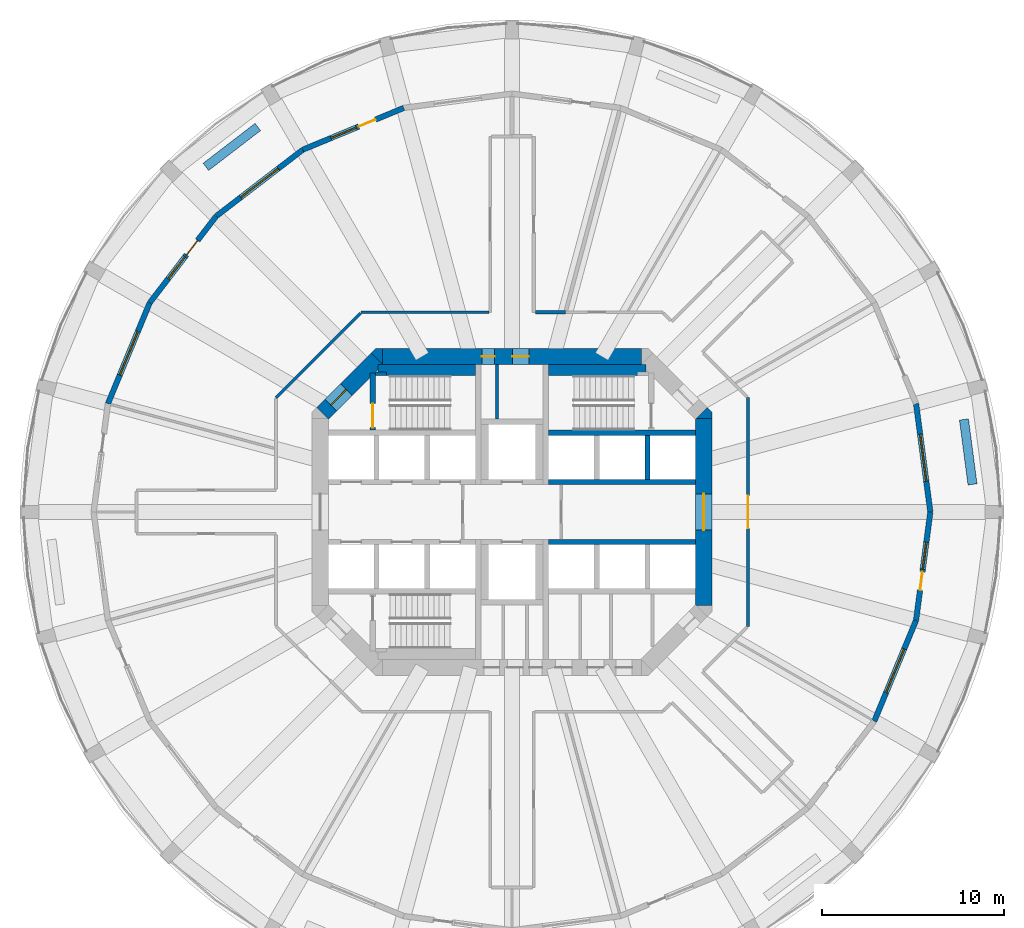
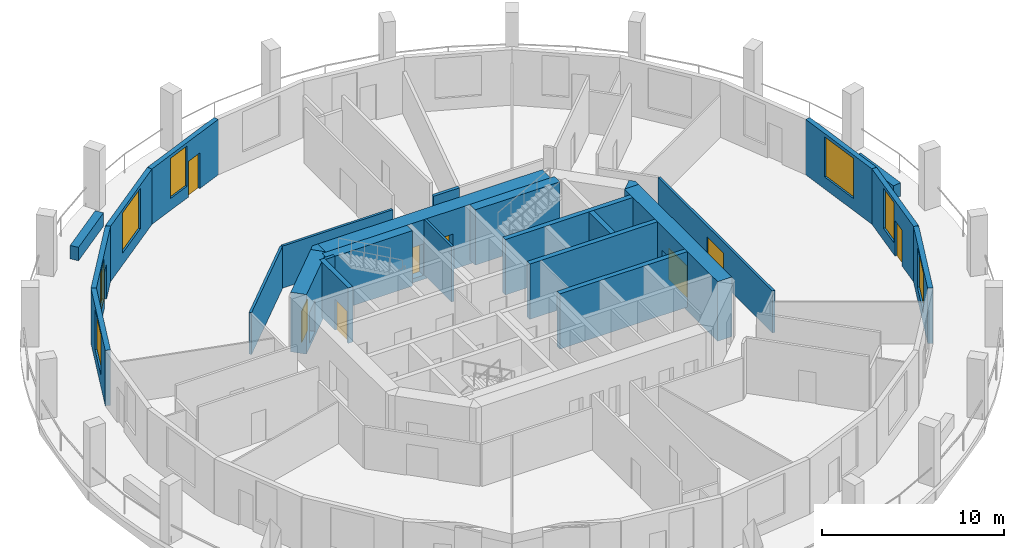
# One storey, part 5 of 9: 27 walls, 9 doors, 7 windows, 16 openings.
"""IFC4 building model written with IfcOpenShell, lengths in metres."""

from ifc_helpers import new_model, si_unit, direction, frame, frame_2d, origin, place, context, subcontext, project, spatial, polyline, rectangle, outline, extrude, material, layer, layer_set, type_object, element, fill, save


model = new_model("IFC4")

# Units and contexts
model_context = context("Model", 3, precision=1e-05, world=origin(), true_north=direction((0.0, 1.0)))
body_context = subcontext(model_context, "Body", "Model", "MODEL_VIEW")
ifc_project = project(units=[si_unit("LENGTHUNIT", "METRE"), si_unit("AREAUNIT", "SQUARE_METRE"), si_unit("VOLUMEUNIT", "CUBIC_METRE"), si_unit("PLANEANGLEUNIT", "RADIAN"), si_unit("MASSUNIT", "GRAM", prefix="KILO")], contexts=[model_context])

# Site, building, storey
site_placement = place(None, origin())
site = spatial("IfcSite", under=ifc_project, at=site_placement, CompositionType="ELEMENT")
building_placement = place(site_placement, origin())
building = spatial("IfcBuilding", under=site, at=building_placement, Name="Torre Triforio", CompositionType="ELEMENT")
storey_placement = place(building_placement, frame((0.0, 0.0, 55.0)))
storey = spatial("IfcBuildingStorey", under=building, at=storey_placement, Name="L11", CompositionType="ELEMENT", Elevation=55.0)

# Wall, openings, doors
ifc_material_1 = material(Name="Concrete C60", Category="concrete")
ifc_layer_1 = layer(ifc_material_1, 0.89990234375)
ifc_layer_set_1 = layer_set([ifc_layer_1], Name="Concrete C60")
wall_type_1 = type_object("IfcWallType", Name="Core wall 900 mm C60 EI 120", PredefinedType="SHEAR", material=ifc_layer_set_1)
wall_1_placement = place(storey_placement, frame((-7.1298828125, 8.550048828125, -0.280029296875), z_axis=(0.0, 0.0, 1.0), x_axis=(1.0, 0.0, 0.0)))
wall_1 = element("IfcWall", 1, at=wall_1_placement, inside=storey, type_object=wall_type_1, Name="Core wall", PredefinedType="SHEAR", context=body_context, shape_type="SweptSolid", body=[
    extrude(rectangle(XDim=14.259765625, YDim=0.89990234375, at=frame_2d((7.1298828125, 0.0))), origin(), (0.0, 0.0, 1.0), 4.0),
])
opening_1_placement = place(wall_1_placement, frame((5.47998046875, 0.0, 0.280029296875)))
opening_1 = element("IfcOpeningElement", 2, at=opening_1_placement, cuts=wall_1, Name="Opening RISER-N", PredefinedType="OPENING", context=body_context, shape_type="SweptSolid", body=[
    extrude(rectangle(XDim=0.699951171875, YDim=2.10009765625, at=frame_2d((0.35009765625, 1.050048828125))), frame((0.0, 0.4599609375, 0.0), z_axis=(0.0, -1.0, 0.0), x_axis=(1.0, 0.0, 0.0)), (0.0, 0.0, 1.0), 0.919921875),
])
opening_2_placement = place(wall_1_placement, frame((7.155029296875, 0.0, 0.280029296875)))
opening_2 = element("IfcOpeningElement", 3, at=opening_2_placement, cuts=wall_1, Name="Opening NE-01", PredefinedType="OPENING", context=body_context, shape_type="SweptSolid", body=[
    extrude(rectangle(XDim=0.89990234375, YDim=2.10009765625, at=frame_2d((0.449951171875, 1.050048828125))), frame((0.0, 0.4599609375, 0.0), z_axis=(0.0, -1.0, 0.0), x_axis=(1.0, 0.0, 0.0)), (0.0, 0.0, 1.0), 0.919921875),
])
ifc_material_2 = material(Name="Hollow metal fire door leaf")
door_type_1 = type_object("IfcDoorType", Name="Riser door 700 x 2100 EI 60", OperationType="NOTDEFINED", PredefinedType="DOOR", material=ifc_material_2)
door_1_placement = place(opening_1_placement, origin())
door_1 = element("IfcDoor", 4, at=door_1_placement, inside=storey, type_object=door_type_1, Name="Core door RISER-N", OperationType="SINGLE_SWING_LEFT", OverallHeight=2.10009765625, OverallWidth=0.699951171875, PredefinedType="DOOR", context=body_context, shape_type="SweptSolid", body=[
    extrude(rectangle(XDim=0.699951171875, YDim=2.10009765625, at=frame_2d((0.35009765625, 1.050048828125))), frame((0.0, 0.02490234375, 0.0), z_axis=(0.0, -1.0, 0.0), x_axis=(1.0, 0.0, 0.0)), (0.0, 0.0, 1.0), 0.050048828125),
])
fill(opening_1, door_1)
door_type_2 = type_object("IfcDoorType", Name="Room door 900 x 2100 EI 60", OperationType="NOTDEFINED", PredefinedType="DOOR", material=ifc_material_2)
door_2_placement = place(opening_2_placement, origin())
door_2 = element("IfcDoor", 5, at=door_2_placement, inside=storey, type_object=door_type_2, Name="Core door NE-01", OperationType="SINGLE_SWING_RIGHT", OverallHeight=2.10009765625, OverallWidth=0.89990234375, PredefinedType="DOOR", context=body_context, shape_type="SweptSolid", body=[
    extrude(rectangle(XDim=0.89990234375, YDim=2.10009765625, at=frame_2d((0.449951171875, 1.050048828125))), frame((0.0, 0.02490234375, 0.0), z_axis=(0.0, -1.0, 0.0), x_axis=(1.0, 0.0, 0.0)), (0.0, 0.0, 1.0), 0.050048828125),
])
fill(opening_2, door_2)

# Wall, opening, door
wall_2_placement = place(storey_placement, frame((10.550048828125, -5.1298828125, -0.280029296875), z_axis=(0.0, 0.0, 1.0), x_axis=(0.0, 1.0, 0.0)))
wall_2 = element("IfcWall", 6, at=wall_2_placement, inside=storey, type_object=wall_type_1, Name="Core wall", PredefinedType="SHEAR", context=body_context, shape_type="SweptSolid", body=[
    extrude(rectangle(XDim=10.259765625, YDim=0.89990234375, at=frame_2d((5.1298828125, 0.0))), origin(), (0.0, 0.0, 1.0), 4.0),
])
opening_3_placement = place(wall_2_placement, frame((4.1298828125, 0.0, 0.280029296875)))
opening_3 = element("IfcOpeningElement", 7, at=opening_3_placement, cuts=wall_2, Name="Opening E-RING", PredefinedType="OPENING", context=body_context, shape_type="SweptSolid", body=[
    extrude(rectangle(XDim=2.0, YDim=2.10009765625, at=frame_2d((1.0, 1.050048828125))), frame((0.0, 0.4599609375, 0.0), z_axis=(0.0, -1.0, 0.0), x_axis=(1.0, 0.0, 0.0)), (0.0, 0.0, 1.0), 0.919921875),
])
door_type_3 = type_object("IfcDoorType", Name="Lobby door 2000 x 2100 EI 60", OperationType="DOUBLE_DOOR_SINGLE_SWING", PredefinedType="DOOR", material=ifc_material_2)
door_3_placement = place(opening_3_placement, origin())
door_3 = element("IfcDoor", 8, at=door_3_placement, inside=storey, type_object=door_type_3, Name="Core door E-RING", OperationType="DOUBLE_DOOR_SINGLE_SWING", OverallHeight=2.10009765625, OverallWidth=2.0, PredefinedType="DOOR", context=body_context, shape_type="SweptSolid", body=[
    extrude(rectangle(XDim=2.0, YDim=2.10009765625, at=frame_2d((1.0, 1.050048828125))), frame((0.0, 0.02490234375, 0.0), z_axis=(0.0, -1.0, 0.0), x_axis=(1.0, 0.0, 0.0)), (0.0, 0.0, 1.0), 0.050048828125),
])
fill(opening_3, door_3)

wall_3_placement = place(storey_placement, frame((-10.418212890625, 5.418212890625, -0.280029296875), z_axis=(0.0, 0.0, 1.0), x_axis=(0.707106781187, 0.707106781187, 0.0)))
wall_3 = element("IfcWall", 9, at=wall_3_placement, inside=storey, type_object=wall_type_1, Name="Core wall", PredefinedType="SHEAR", context=body_context, shape_type="SweptSolid", body=[
    extrude(rectangle(XDim=4.24267578125, YDim=0.89990234375, at=frame_2d((2.121337890625, 0.0))), origin(), (0.0, 0.0, 1.0), 4.0),
])
opening_4_placement = place(wall_3_placement, frame((0.64990234375, 0.0, 0.280029296875)))
opening_4 = element("IfcOpeningElement", 10, at=opening_4_placement, cuts=wall_3, Name="Opening ST1-EXIT", PredefinedType="OPENING", context=body_context, shape_type="SweptSolid", body=[
    extrude(rectangle(XDim=1.199951171875, YDim=2.10009765625, at=frame_2d((0.60009765625, 1.050048828125))), frame((0.0, 0.4599609375, 0.0), z_axis=(0.0, -1.0, 0.0), x_axis=(1.0, 0.0, 0.0)), (0.0, 0.0, 1.0), 0.919921875),
])
door_type_4 = type_object("IfcDoorType", Name="Stair lobby door 1200 x 2100 EI 60", OperationType="NOTDEFINED", PredefinedType="DOOR", material=ifc_material_2)
door_4_placement = place(opening_4_placement, origin())
door_4 = element("IfcDoor", 11, at=door_4_placement, inside=storey, type_object=door_type_4, Name="Core door ST1-EXIT", OperationType="SINGLE_SWING_RIGHT", OverallHeight=2.10009765625, OverallWidth=1.199951171875, PredefinedType="DOOR", context=body_context, shape_type="SweptSolid", body=[
    extrude(rectangle(XDim=1.199951171875, YDim=2.10009765625, at=frame_2d((0.60009765625, 1.050048828125))), frame((0.0, 0.02490234375, 0.0), z_axis=(0.0, -1.0, 0.0), x_axis=(1.0, 0.0, 0.0)), (0.0, 0.0, 1.0), 0.050048828125),
])
fill(opening_4, door_4)

# Walls
wall_4_placement = place(storey_placement, frame((0.0, 0.0, -0.280029296875)))
element("IfcWall", 12, at=wall_4_placement, inside=storey, type_object=wall_type_1, Name="Core wall", PredefinedType="SHEAR", context=body_context, shape_type="SweptSolid", body=[
    extrude(outline(polyline([(11.0, 5.472900390625), (11.0, 5.1298828125), (10.1298828125, 5.1298828125), (10.736328125, 5.736328125), (11.0, 5.472900390625)])), origin(), (0.0, 0.0, 1.0), 4.0),
])
wall_5_placement = place(storey_placement, frame((0.0, 0.0, -0.280029296875)))
element("IfcWall", 13, at=wall_5_placement, inside=storey, type_object=wall_type_1, Name="Core wall", PredefinedType="SHEAR", context=body_context, shape_type="SweptSolid", body=[
    extrude(outline(polyline([(-7.472900390625, 9.0), (-7.1298828125, 9.0), (-7.1298828125, 8.1298828125), (-7.736328125, 8.736328125), (-7.472900390625, 9.0)])), origin(), (0.0, 0.0, 1.0), 4.0),
])
ifc_material_3 = material(Name="Plasterboard on metal studs")
ifc_layer_2 = layer(ifc_material_3, 0.14990234375)
ifc_layer_set_2 = layer_set([ifc_layer_2], Name="Plasterboard on metal studs")
wall_type_2 = type_object("IfcWallType", Name="Corridor and tenancy wall 150 mm EI 60", PredefinedType="PARTITIONING", material=ifc_layer_set_2)
wall_6_placement = place(storey_placement, frame((-12.97509765625, 6.291015625, 0.0), z_axis=(0.0, 0.0, 1.0), x_axis=(0.707125355289, 0.707088206597, 0.0)))
element("IfcWall", 14, at=wall_6_placement, inside=storey, type_object=wall_type_2, Name="Partition 15", PredefinedType="PARTITIONING", context=body_context, shape_type="SweptSolid", body=[
    extrude(rectangle(XDim=6.572021484375, YDim=0.14990234375, at=frame_2d((3.2861328125, 0.0))), origin(), (0.0, 0.0, 1.0), 2.820068359375),
])
wall_7_placement = place(storey_placement, frame((-8.291015625, 10.97509765625, 0.0), z_axis=(0.0, 0.0, 1.0), x_axis=(1.0, 0.0, 0.0)))
element("IfcWall", 15, at=wall_7_placement, inside=storey, type_object=wall_type_2, Name="Partition 16", PredefinedType="PARTITIONING", context=body_context, shape_type="SweptSolid", body=[
    extrude(rectangle(XDim=7.01611328125, YDim=0.14990234375, at=frame_2d((3.508056640625, 0.0))), origin(), (0.0, 0.0, 1.0), 2.820068359375),
])

# Wall, opening, door
wall_8_placement = place(storey_placement, frame((12.97509765625, 6.291015625, 0.0), z_axis=(0.0, 0.0, 1.0), x_axis=(0.0, -1.0, 0.0)))
wall_8 = element("IfcWall", 16, at=wall_8_placement, inside=storey, type_object=wall_type_2, Name="Partition 28", PredefinedType="PARTITIONING", context=body_context, shape_type="SweptSolid", body=[
    extrude(rectangle(XDim=12.58203125, YDim=0.14990234375, at=frame_2d((6.291015625, 0.0))), origin(), (0.0, 0.0, 1.0), 2.820068359375),
])
opening_5_placement = place(wall_8_placement, frame((5.390869140625, 0.0, 0.0)))
opening_5 = element("IfcOpeningElement", 17, at=opening_5_placement, cuts=wall_8, Name="Opening N3-09", PredefinedType="OPENING", context=body_context, shape_type="SweptSolid", body=[
    extrude(rectangle(XDim=1.800048828125, YDim=2.10009765625, at=frame_2d((0.89990234375, 1.050048828125))), frame((0.0, 0.0849609375, 0.0), z_axis=(0.0, -1.0, 0.0), x_axis=(1.0, 0.0, 0.0)), (0.0, 0.0, 1.0), 0.169921875),
])
ifc_material_4 = material(Name="Timber", Category="wood")
door_type_5 = type_object("IfcDoorType", Name="Door 1800 x 2100 double leaf EI 30", OperationType="DOUBLE_DOOR_SINGLE_SWING", PredefinedType="DOOR", material=ifc_material_4)
door_5_placement = place(opening_5_placement, origin())
door_5 = element("IfcDoor", 18, at=door_5_placement, inside=storey, type_object=door_type_5, Name="Door N3-09", OperationType="DOUBLE_DOOR_SINGLE_SWING", OverallHeight=2.10009765625, OverallWidth=1.800048828125, PredefinedType="DOOR", context=body_context, shape_type="SweptSolid", body=[
    extrude(rectangle(XDim=1.800048828125, YDim=2.10009765625, at=frame_2d((0.89990234375, 1.050048828125))), frame((0.0, 0.02490234375, 0.0), z_axis=(0.0, -1.0, 0.0), x_axis=(1.0, 0.0, 0.0)), (0.0, 0.0, 1.0), 0.050048828125),
])
fill(opening_5, door_5)

# Walls
ifc_material_5 = material(Name="Block and board partition")
ifc_layer_3 = layer(ifc_material_5, 0.14990234375)
ifc_layer_set_3 = layer_set([ifc_layer_3], Name="Block and board partition")
wall_type_3 = type_object("IfcWallType", Name="Partition 150 mm EI 120", PredefinedType="PARTITIONING", material=ifc_layer_set_3)
wall_9_placement = place(storey_placement, frame((-0.824951171875, 5.10009765625, 0.0), z_axis=(0.0, 0.0, 1.0), x_axis=(0.0, 1.0, 0.0)))
element("IfcWall", 19, at=wall_9_placement, inside=storey, type_object=wall_type_3, Name="Partition", PredefinedType="PARTITIONING", context=body_context, shape_type="SweptSolid", body=[
    extrude(rectangle(XDim=3.0, YDim=0.14990234375, at=frame_2d((1.5, 0.0))), origin(), (0.0, 0.0, 1.0), 3.719970703125),
])
ifc_material_6 = material(Name="Masonry block", Category="masonry")
ifc_layer_4 = layer(ifc_material_6, 0.199951171875)
ifc_layer_set_4 = layer_set([ifc_layer_4], Name="Masonry block")
wall_type_4 = type_object("IfcWallType", Name="Plant room wall 200 mm block EI 120", PredefinedType="PARTITIONING", material=ifc_layer_set_4)
wall_10_placement = place(storey_placement, frame((1.300048828125, 10.97509765625, 0.0), z_axis=(0.0, 0.0, 1.0), x_axis=(1.0, 0.0, 0.0)))
element("IfcWall", 20, at=wall_10_placement, inside=storey, type_object=wall_type_4, Name="Partition 21", PredefinedType="PARTITIONING", context=body_context, shape_type="SweptSolid", body=[
    extrude(rectangle(XDim=1.640625, YDim=0.199951171875, at=frame_2d((0.8203125, 0.0))), origin(), (0.0, 0.0, 1.0), 2.820068359375),
])
ifc_material_7 = material(Name="Limestone cladding", Category="masonry")
ifc_layer_5 = layer(ifc_material_7, 0.10009765625)
ifc_material_8 = material(Name="Concrete C40", Category="concrete")
ifc_layer_6 = layer(ifc_material_8, 0.39990234375)
ifc_layer_set_5 = layer_set([ifc_layer_5, ifc_layer_6], Name="Limestone cladding / Concrete C40")
wall_type_5 = type_object("IfcWallType", Name="Planter wall 500", PredefinedType="PARAPET", material=ifc_layer_set_5)
wall_11_placement = place(storey_placement, frame((25.318603515625, 1.517578125, 0.0), z_axis=(0.0, 0.0, 1.0), x_axis=(-0.130542222659, 0.991442750795, 0.0)))
element("IfcWall", 21, at=wall_11_placement, inside=storey, type_object=wall_type_5, Name="Planter L11 bay 01", PredefinedType="PARAPET", context=body_context, shape_type="SweptSolid", body=[
    extrude(rectangle(XDim=3.60009765625, YDim=0.5, at=frame_2d((1.800048828125, 0.0))), origin(), (0.0, 0.0, 1.0), 0.89990234375),
])
wall_12_placement = place(storey_placement, frame((-13.9736328125, 21.16748046875, 0.0), z_axis=(0.0, 0.0, 1.0), x_axis=(-0.793359599829, -0.608753271334, 0.0)))
element("IfcWall", 22, at=wall_12_placement, inside=storey, type_object=wall_type_5, Name="Planter L11 bay 09", PredefinedType="PARAPET", context=body_context, shape_type="SweptSolid", body=[
    extrude(rectangle(XDim=3.599853515625, YDim=0.5, at=frame_2d((1.7998046875, 0.0))), origin(), (0.0, 0.0, 1.0), 0.89990234375),
])
ifc_layer_7 = layer(ifc_material_1, 0.300048828125)
ifc_layer_set_6 = layer_set([ifc_layer_7], Name="Concrete C60")
wall_type_6 = type_object("IfcWallType", Name="Shaft wall 300 mm C60 EI 120", PredefinedType="SOLIDWALL", material=ifc_layer_set_6)
for number, where, z_axis, x_axis, name in (
    (23, (2.0, 4.35009765625, 0.0), (0.0, 0.0, 1.0), (1.0, 0.0, 0.0), "Shaft wall"),
    (24, (2.0, 1.64990234375, 0.0), (0.0, 0.0, 1.0), (1.0, 0.0, 0.0), "Shaft wall"),
    (25, (2.0, -1.64990234375, 0.0), (0.0, 0.0, 1.0), (1.0, 0.0, 0.0), "Shaft wall"),
):
    element("IfcWall", number, at=place(storey_placement, frame(where, z_axis=z_axis, x_axis=x_axis)), inside=storey, type_object=wall_type_6, Name=name, PredefinedType="SOLIDWALL", context=body_context, shape_type="SweptSolid", body=[
        extrude(rectangle(XDim=8.10009765625, YDim=0.300048828125, at=frame_2d((4.050048828125, 0.0))), origin(), (0.0, 0.0, 1.0), 3.719970703125),
    ])
wall_13_placement = place(storey_placement, frame((7.449951171875, 1.800048828125, 0.0), z_axis=(0.0, 0.0, 1.0), x_axis=(0.0, 1.0, 0.0)))
element("IfcWall", 26, at=wall_13_placement, inside=storey, type_object=wall_type_6, Name="Shaft wall", PredefinedType="SOLIDWALL", context=body_context, shape_type="SweptSolid", body=[
    extrude(rectangle(XDim=2.39990234375, YDim=0.300048828125, at=frame_2d((1.199951171875, 0.0))), origin(), (0.0, 0.0, 1.0), 3.719970703125),
])
ifc_layer_8 = layer(ifc_material_1, 0.199951171875)
ifc_layer_set_7 = layer_set([ifc_layer_8], Name="Concrete C60")
wall_type_7 = type_object("IfcWallType", Name="Stair wall 200 mm C60 EI 120", PredefinedType="SHEAR", material=ifc_layer_set_7)
wall_14_placement = place(storey_placement, frame((-7.5, 7.60009765625, 0.0), z_axis=(0.0, 0.0, 1.0), x_axis=(1.0, 0.0, 0.0)))
element("IfcWall", 27, at=wall_14_placement, inside=storey, type_object=wall_type_7, Name="Stair wall", PredefinedType="SHEAR", context=body_context, shape_type="SweptSolid", body=[
    extrude(rectangle(XDim=0.60009765625, YDim=0.199951171875, at=frame_2d((0.300048828125, 0.0))), origin(), (0.0, 0.0, 1.0), 3.719970703125),
])

# Wall, opening, door
ifc_layer_9 = layer(ifc_material_1, 0.300048828125)
ifc_layer_set_8 = layer_set([ifc_layer_9], Name="Concrete C60")
wall_type_8 = type_object("IfcWallType", Name="Stair wall 300 mm C60 EI 120", PredefinedType="SHEAR", material=ifc_layer_set_8)
wall_15_placement = place(storey_placement, frame((-7.64990234375, 4.5, 0.0), z_axis=(0.0, 0.0, 1.0), x_axis=(0.0, 1.0, 0.0)))
wall_15 = element("IfcWall", 28, at=wall_15_placement, inside=storey, type_object=wall_type_8, Name="Stair wall", PredefinedType="SHEAR", context=body_context, shape_type="SweptSolid", body=[
    extrude(rectangle(XDim=3.139892578125, YDim=0.300048828125, at=frame_2d((1.56982421875, 0.0))), origin(), (0.0, 0.0, 1.0), 3.719970703125),
])
opening_6_placement = place(wall_15_placement, frame((0.139892578125, 0.0, 0.0)))
opening_6 = element("IfcOpeningElement", 29, at=opening_6_placement, cuts=wall_15, Name="Opening ST1-STA", PredefinedType="OPENING", context=body_context, shape_type="SweptSolid", body=[
    extrude(rectangle(XDim=1.320068359375, YDim=2.10009765625, at=frame_2d((0.66015625, 1.050048828125))), frame((0.0, 0.159912109375, 0.0), z_axis=(0.0, -1.0, 0.0), x_axis=(1.0, 0.0, 0.0)), (0.0, 0.0, 1.0), 0.320068359375),
])
door_type_6 = type_object("IfcDoorType", Name="Stair door 1320 x 2100 EI 90", OperationType="DOUBLE_DOOR_SINGLE_SWING", PredefinedType="DOOR", material=ifc_material_2)
door_6_placement = place(opening_6_placement, origin())
door_6 = element("IfcDoor", 30, at=door_6_placement, inside=storey, type_object=door_type_6, Name="Core door ST1-ST", OperationType="DOUBLE_DOOR_SINGLE_SWING", OverallHeight=2.10009765625, OverallWidth=1.320068359375, PredefinedType="DOOR", context=body_context, shape_type="SweptSolid", body=[
    extrude(rectangle(XDim=1.320068359375, YDim=2.10009765625, at=frame_2d((0.66015625, 1.050048828125))), frame((0.0, 0.02490234375, 0.0), z_axis=(0.0, -1.0, 0.0), x_axis=(1.0, 0.0, 0.0)), (0.0, 0.0, 1.0), 0.050048828125),
])
fill(opening_6, door_6)

# Walls
ifc_layer_10 = layer(ifc_material_1, 0.60009765625)
ifc_layer_set_9 = layer_set([ifc_layer_10], Name="Concrete C60")
wall_type_9 = type_object("IfcWallType", Name="Stair wall 600 mm C60 EI 120", PredefinedType="SHEAR", material=ifc_layer_set_9)
for number, where, z_axis, x_axis, name in (
    (31, (-7.3701171875, 7.800048828125, 0.0), (0.0, 0.0, 1.0), (1.0, 0.0, 0.0), "Stair wall"),
    (32, (2.0, 7.800048828125, 0.0), (0.0, 0.0, 1.0), (1.0, 0.0, 0.0), "Stair wall"),
):
    element("IfcWall", number, at=place(storey_placement, frame(where, z_axis=z_axis, x_axis=x_axis)), inside=storey, type_object=wall_type_9, Name=name, PredefinedType="SHEAR", context=body_context, shape_type="SweptSolid", body=[
        extrude(rectangle(XDim=5.3701171875, YDim=0.60009765625, at=frame_2d((2.68505859375, 0.0))), origin(), (0.0, 0.0, 1.0), 3.719970703125),
    ])

# Wall, opening, window
ifc_layer_11 = layer(ifc_material_7, 0.10009765625)
ifc_layer_12 = layer(ifc_material_8, 0.199951171875)
ifc_layer_set_10 = layer_set([ifc_layer_11, ifc_layer_12], Name="Limestone cladding / Concrete C40")
wall_type_10 = type_object("IfcWallType", Name="Stone-faced composite wall 300", PredefinedType="STANDARD", material=ifc_layer_set_10)
wall_16_placement = place(storey_placement, frame((23.0, 0.0, 0.0), z_axis=(0.0, 0.0, 1.0), x_axis=(-0.130522880875, 0.991445297315, 0.0)))
wall_16 = element("IfcWall", 33, at=wall_16_placement, inside=storey, type_object=wall_type_10, Name="External wall L11 bay 01", PredefinedType="STANDARD", context=body_context, shape_type="SweptSolid", body=[
    extrude(rectangle(XDim=6.004150390625, YDim=0.300048828125, at=frame_2d((3.001953125, 0.0))), origin(), (0.0, 0.0, 1.0), 3.719970703125),
])
opening_7_placement = place(wall_16_placement, frame((1.7021484375, 0.0, 0.800048828125)))
opening_7 = element("IfcOpeningElement", 34, at=opening_7_placement, cuts=wall_16, Name="Opening N3-W01", PredefinedType="OPENING", context=body_context, shape_type="SweptSolid", body=[
    extrude(rectangle(XDim=2.60009765625, YDim=2.699951171875, at=frame_2d((1.300048828125, 1.35009765625))), frame((0.0, 0.159912109375, 0.0), z_axis=(0.0, -1.0, 0.0), x_axis=(1.0, 0.0, 0.0)), (0.0, 0.0, 1.0), 0.320068359375),
])
ifc_material_9 = material(Name="Aluminium frame with clear double glazing", Category="aluminium")
window_type_1 = type_object("IfcWindowType", Name="Punched window 2600 x 2700", PartitioningType="DOUBLE_PANEL_VERTICAL", PredefinedType="WINDOW", material=ifc_material_9)
window_1_placement = place(opening_7_placement, origin())
window_1 = element("IfcWindow", 35, at=window_1_placement, inside=storey, type_object=window_type_1, Name="Window EWN2 L11 bay 01", OverallHeight=2.699951171875, OverallWidth=2.60009765625, PartitioningType="SINGLE_PANEL", PredefinedType="WINDOW", context=body_context, shape_type="SweptSolid", body=[
    extrude(rectangle(XDim=2.60009765625, YDim=2.699951171875, at=frame_2d((1.300048828125, 1.35009765625))), frame((0.0, 0.030029296875, 0.0), z_axis=(0.0, -1.0, 0.0), x_axis=(1.0, 0.0, 0.0)), (0.0, 0.0, 1.0), 0.06005859375),
])
fill(opening_7, window_1)

# Wall, openings, door, window
wall_17_placement = place(storey_placement, frame((-5.952880859375, 22.21630859375, 0.0), z_axis=(0.0, 0.0, 1.0), x_axis=(-0.923884511653, -0.382671411433, 0.0)))
wall_17 = element("IfcWall", 36, at=wall_17_placement, inside=storey, type_object=wall_type_10, Name="External wall L11 bay 08", PredefinedType="STANDARD", context=body_context, shape_type="SweptSolid", body=[
    extrude(rectangle(XDim=6.004150390625, YDim=0.300048828125, at=frame_2d((3.001953125, 0.0))), origin(), (0.0, 0.0, 1.0), 3.719970703125),
])
opening_8_placement = place(wall_17_placement, frame((1.677001953125, 0.0, 0.0)))
opening_8 = element("IfcOpeningElement", 37, at=opening_8_placement, cuts=wall_17, Name="Opening N3-D08", PredefinedType="OPENING", context=body_context, shape_type="SweptSolid", body=[
    extrude(rectangle(XDim=1.0, YDim=2.39990234375, at=frame_2d((0.5, 1.199951171875))), frame((0.0, 0.159912109375, 0.0), z_axis=(0.0, -1.0, 0.0), x_axis=(1.0, 0.0, 0.0)), (0.0, 0.0, 1.0), 0.320068359375),
])
opening_9_placement = place(wall_17_placement, frame((2.8271484375, 0.0, 0.800048828125)))
opening_9 = element("IfcOpeningElement", 38, at=opening_9_placement, cuts=wall_17, Name="Opening N3-W08A", PredefinedType="OPENING", context=body_context, shape_type="SweptSolid", body=[
    extrude(rectangle(XDim=1.5, YDim=2.699951171875, at=frame_2d((0.75, 1.35009765625))), frame((0.0, 0.159912109375, 0.0), z_axis=(0.0, -1.0, 0.0), x_axis=(1.0, 0.0, 0.0)), (0.0, 0.0, 1.0), 0.320068359375),
])
door_type_7 = type_object("IfcDoorType", Name="Loggia door 1000 x 2400", OperationType="NOTDEFINED", PredefinedType="DOOR", material=ifc_material_9)
door_7_placement = place(opening_8_placement, origin())
door_7 = element("IfcDoor", 39, at=door_7_placement, inside=storey, type_object=door_type_7, Name="Loggia door L11 bay 08", OperationType="SINGLE_SWING_LEFT", OverallHeight=2.39990234375, OverallWidth=1.0, PredefinedType="DOOR", context=body_context, shape_type="SweptSolid", body=[
    extrude(rectangle(XDim=1.0, YDim=2.39990234375, at=frame_2d((0.5, 1.199951171875))), frame((0.0, 0.02490234375, 0.0), z_axis=(0.0, -1.0, 0.0), x_axis=(1.0, 0.0, 0.0)), (0.0, 0.0, 1.0), 0.050048828125),
])
fill(opening_8, door_7)
window_type_2 = type_object("IfcWindowType", Name="Side window 1500 x 2700", PartitioningType="SINGLE_PANEL", PredefinedType="WINDOW", material=ifc_material_9)
window_2_placement = place(opening_9_placement, origin())
window_2 = element("IfcWindow", 40, at=window_2_placement, inside=storey, type_object=window_type_2, Name="Side window EWN12 L11 bay 08", OverallHeight=2.699951171875, OverallWidth=1.5, PartitioningType="SINGLE_PANEL", PredefinedType="WINDOW", context=body_context, shape_type="SweptSolid", body=[
    extrude(rectangle(XDim=1.5, YDim=2.699951171875, at=frame_2d((0.75, 1.35009765625))), frame((0.0, 0.030029296875, 0.0), z_axis=(0.0, -1.0, 0.0), x_axis=(1.0, 0.0, 0.0)), (0.0, 0.0, 1.0), 0.06005859375),
])
fill(opening_9, window_2)

# Wall, opening, window
wall_18_placement = place(storey_placement, frame((-11.5, 19.918701171875, 0.0), z_axis=(0.0, 0.0, 1.0), x_axis=(-0.793339924758, -0.608778912074, 0.0)))
wall_18 = element("IfcWall", 41, at=wall_18_placement, inside=storey, type_object=wall_type_10, Name="External wall L11 bay 09", PredefinedType="STANDARD", context=body_context, shape_type="SweptSolid", body=[
    extrude(rectangle(XDim=6.004150390625, YDim=0.300048828125, at=frame_2d((3.001953125, 0.0))), origin(), (0.0, 0.0, 1.0), 3.719970703125),
])
opening_10_placement = place(wall_18_placement, frame((1.7021484375, 0.0, 0.800048828125)))
opening_10 = element("IfcOpeningElement", 42, at=opening_10_placement, cuts=wall_18, Name="Opening N3-W09", PredefinedType="OPENING", context=body_context, shape_type="SweptSolid", body=[
    extrude(rectangle(XDim=2.60009765625, YDim=2.699951171875, at=frame_2d((1.300048828125, 1.35009765625))), frame((0.0, 0.159912109375, 0.0), z_axis=(0.0, -1.0, 0.0), x_axis=(1.0, 0.0, 0.0)), (0.0, 0.0, 1.0), 0.320068359375),
])
window_3_placement = place(opening_10_placement, origin())
window_3 = element("IfcWindow", 43, at=window_3_placement, inside=storey, type_object=window_type_1, Name="Window EWN2 L11 bay 09", OverallHeight=2.699951171875, OverallWidth=2.60009765625, PartitioningType="SINGLE_PANEL", PredefinedType="WINDOW", context=body_context, shape_type="SweptSolid", body=[
    extrude(rectangle(XDim=2.60009765625, YDim=2.699951171875, at=frame_2d((1.300048828125, 1.35009765625))), frame((0.0, 0.030029296875, 0.0), z_axis=(0.0, -1.0, 0.0), x_axis=(1.0, 0.0, 0.0)), (0.0, 0.0, 1.0), 0.06005859375),
])
fill(opening_10, window_3)

# Wall, openings, door, window
wall_19_placement = place(storey_placement, frame((-16.263427734375, 16.263427734375, 0.0), z_axis=(0.0, 0.0, 1.0), x_axis=(-0.608778912074, -0.793339924758, 0.0)))
wall_19 = element("IfcWall", 44, at=wall_19_placement, inside=storey, type_object=wall_type_10, Name="External wall L11 bay 10", PredefinedType="STANDARD", context=body_context, shape_type="SweptSolid", body=[
    extrude(rectangle(XDim=6.004150390625, YDim=0.300048828125, at=frame_2d((3.001953125, 0.0))), origin(), (0.0, 0.0, 1.0), 3.719970703125),
])
opening_11_placement = place(wall_19_placement, frame((1.677001953125, 0.0, 0.0)))
opening_11 = element("IfcOpeningElement", 45, at=opening_11_placement, cuts=wall_19, Name="Opening N3-D10", PredefinedType="OPENING", context=body_context, shape_type="SweptSolid", body=[
    extrude(rectangle(XDim=1.0, YDim=2.39990234375, at=frame_2d((0.5, 1.199951171875))), frame((0.0, 0.159912109375, 0.0), z_axis=(0.0, -1.0, 0.0), x_axis=(1.0, 0.0, 0.0)), (0.0, 0.0, 1.0), 0.320068359375),
])
opening_12_placement = place(wall_19_placement, frame((2.8271484375, 0.0, 0.800048828125)))
opening_12 = element("IfcOpeningElement", 46, at=opening_12_placement, cuts=wall_19, Name="Opening N3-W10A", PredefinedType="OPENING", context=body_context, shape_type="SweptSolid", body=[
    extrude(rectangle(XDim=1.5, YDim=2.699951171875, at=frame_2d((0.75, 1.35009765625))), frame((0.0, 0.159912109375, 0.0), z_axis=(0.0, -1.0, 0.0), x_axis=(1.0, 0.0, 0.0)), (0.0, 0.0, 1.0), 0.320068359375),
])
door_8_placement = place(opening_11_placement, origin())
door_8 = element("IfcDoor", 47, at=door_8_placement, inside=storey, type_object=door_type_7, Name="Loggia door L11 bay 10", OperationType="SINGLE_SWING_LEFT", OverallHeight=2.39990234375, OverallWidth=1.0, PredefinedType="DOOR", context=body_context, shape_type="SweptSolid", body=[
    extrude(rectangle(XDim=1.0, YDim=2.39990234375, at=frame_2d((0.5, 1.199951171875))), frame((0.0, 0.02490234375, 0.0), z_axis=(0.0, -1.0, 0.0), x_axis=(1.0, 0.0, 0.0)), (0.0, 0.0, 1.0), 0.050048828125),
])
fill(opening_11, door_8)
window_4_placement = place(opening_12_placement, origin())
window_4 = element("IfcWindow", 48, at=window_4_placement, inside=storey, type_object=window_type_2, Name="Side window EWN12 L11 bay 10", OverallHeight=2.699951171875, OverallWidth=1.5, PartitioningType="SINGLE_PANEL", PredefinedType="WINDOW", context=body_context, shape_type="SweptSolid", body=[
    extrude(rectangle(XDim=1.5, YDim=2.699951171875, at=frame_2d((0.75, 1.35009765625))), frame((0.0, 0.030029296875, 0.0), z_axis=(0.0, -1.0, 0.0), x_axis=(1.0, 0.0, 0.0)), (0.0, 0.0, 1.0), 0.06005859375),
])
fill(opening_12, window_4)

# Wall, opening, window
wall_20_placement = place(storey_placement, frame((-19.918701171875, 11.5, 0.0), z_axis=(0.0, 0.0, 1.0), x_axis=(-0.382671411433, -0.923884511653, 0.0)))
wall_20 = element("IfcWall", 49, at=wall_20_placement, inside=storey, type_object=wall_type_10, Name="External wall L11 bay 11", PredefinedType="STANDARD", context=body_context, shape_type="SweptSolid", body=[
    extrude(rectangle(XDim=6.004150390625, YDim=0.300048828125, at=frame_2d((3.001953125, 0.0))), origin(), (0.0, 0.0, 1.0), 3.719970703125),
])
opening_13_placement = place(wall_20_placement, frame((1.7021484375, 0.0, 0.800048828125)))
opening_13 = element("IfcOpeningElement", 50, at=opening_13_placement, cuts=wall_20, Name="Opening N3-W11", PredefinedType="OPENING", context=body_context, shape_type="SweptSolid", body=[
    extrude(rectangle(XDim=2.60009765625, YDim=2.699951171875, at=frame_2d((1.300048828125, 1.35009765625))), frame((0.0, 0.159912109375, 0.0), z_axis=(0.0, -1.0, 0.0), x_axis=(1.0, 0.0, 0.0)), (0.0, 0.0, 1.0), 0.320068359375),
])
window_5_placement = place(opening_13_placement, origin())
window_5 = element("IfcWindow", 51, at=window_5_placement, inside=storey, type_object=window_type_1, Name="Window EWN2 L11 bay 11", OverallHeight=2.699951171875, OverallWidth=2.60009765625, PartitioningType="SINGLE_PANEL", PredefinedType="WINDOW", context=body_context, shape_type="SweptSolid", body=[
    extrude(rectangle(XDim=2.60009765625, YDim=2.699951171875, at=frame_2d((1.300048828125, 1.35009765625))), frame((0.0, 0.030029296875, 0.0), z_axis=(0.0, -1.0, 0.0), x_axis=(1.0, 0.0, 0.0)), (0.0, 0.0, 1.0), 0.06005859375),
])
fill(opening_13, window_5)

wall_21_placement = place(storey_placement, frame((19.918701171875, -11.5, 0.0), z_axis=(0.0, 0.0, 1.0), x_axis=(0.382671411433, 0.923884511653, 0.0)))
wall_21 = element("IfcWall", 52, at=wall_21_placement, inside=storey, type_object=wall_type_10, Name="External wall L11 bay 23", PredefinedType="STANDARD", context=body_context, shape_type="SweptSolid", body=[
    extrude(rectangle(XDim=6.004150390625, YDim=0.300048828125, at=frame_2d((3.001953125, 0.0))), origin(), (0.0, 0.0, 1.0), 3.719970703125),
])
opening_14_placement = place(wall_21_placement, frame((1.7021484375, 0.0, 0.800048828125)))
opening_14 = element("IfcOpeningElement", 53, at=opening_14_placement, cuts=wall_21, Name="Opening N3-W23", PredefinedType="OPENING", context=body_context, shape_type="SweptSolid", body=[
    extrude(rectangle(XDim=2.60009765625, YDim=2.699951171875, at=frame_2d((1.300048828125, 1.35009765625))), frame((0.0, 0.159912109375, 0.0), z_axis=(0.0, -1.0, 0.0), x_axis=(1.0, 0.0, 0.0)), (0.0, 0.0, 1.0), 0.320068359375),
])
window_6_placement = place(opening_14_placement, origin())
window_6 = element("IfcWindow", 54, at=window_6_placement, inside=storey, type_object=window_type_1, Name="Window EWN2 L11 bay 23", OverallHeight=2.699951171875, OverallWidth=2.60009765625, PartitioningType="SINGLE_PANEL", PredefinedType="WINDOW", context=body_context, shape_type="SweptSolid", body=[
    extrude(rectangle(XDim=2.60009765625, YDim=2.699951171875, at=frame_2d((1.300048828125, 1.35009765625))), frame((0.0, 0.030029296875, 0.0), z_axis=(0.0, -1.0, 0.0), x_axis=(1.0, 0.0, 0.0)), (0.0, 0.0, 1.0), 0.06005859375),
])
fill(opening_14, window_6)

# Wall, openings, door, window
wall_22_placement = place(storey_placement, frame((22.21630859375, -5.952880859375, 0.0), z_axis=(0.0, 0.0, 1.0), x_axis=(0.130522880875, 0.991445297315, 0.0)))
wall_22 = element("IfcWall", 55, at=wall_22_placement, inside=storey, type_object=wall_type_10, Name="External wall L11 bay 24", PredefinedType="STANDARD", context=body_context, shape_type="SweptSolid", body=[
    extrude(rectangle(XDim=6.004150390625, YDim=0.300048828125, at=frame_2d((3.001953125, 0.0))), origin(), (0.0, 0.0, 1.0), 3.719970703125),
])
opening_15_placement = place(wall_22_placement, frame((1.677001953125, 0.0, 0.0)))
opening_15 = element("IfcOpeningElement", 56, at=opening_15_placement, cuts=wall_22, Name="Opening N3-D24", PredefinedType="OPENING", context=body_context, shape_type="SweptSolid", body=[
    extrude(rectangle(XDim=1.0, YDim=2.39990234375, at=frame_2d((0.5, 1.199951171875))), frame((0.0, 0.159912109375, 0.0), z_axis=(0.0, -1.0, 0.0), x_axis=(1.0, 0.0, 0.0)), (0.0, 0.0, 1.0), 0.320068359375),
])
opening_16_placement = place(wall_22_placement, frame((2.8271484375, 0.0, 0.800048828125)))
opening_16 = element("IfcOpeningElement", 57, at=opening_16_placement, cuts=wall_22, Name="Opening N3-W24A", PredefinedType="OPENING", context=body_context, shape_type="SweptSolid", body=[
    extrude(rectangle(XDim=1.5, YDim=2.699951171875, at=frame_2d((0.75, 1.35009765625))), frame((0.0, 0.159912109375, 0.0), z_axis=(0.0, -1.0, 0.0), x_axis=(1.0, 0.0, 0.0)), (0.0, 0.0, 1.0), 0.320068359375),
])
door_9_placement = place(opening_15_placement, origin())
door_9 = element("IfcDoor", 58, at=door_9_placement, inside=storey, type_object=door_type_7, Name="Loggia door L11 bay 24", OperationType="SINGLE_SWING_LEFT", OverallHeight=2.39990234375, OverallWidth=1.0, PredefinedType="DOOR", context=body_context, shape_type="SweptSolid", body=[
    extrude(rectangle(XDim=1.0, YDim=2.39990234375, at=frame_2d((0.5, 1.199951171875))), frame((0.0, 0.02490234375, 0.0), z_axis=(0.0, -1.0, 0.0), x_axis=(1.0, 0.0, 0.0)), (0.0, 0.0, 1.0), 0.050048828125),
])
fill(opening_15, door_9)
window_7_placement = place(opening_16_placement, origin())
window_7 = element("IfcWindow", 59, at=window_7_placement, inside=storey, type_object=window_type_2, Name="Side window EWN12 L11 bay 24", OverallHeight=2.699951171875, OverallWidth=1.5, PartitioningType="SINGLE_PANEL", PredefinedType="WINDOW", context=body_context, shape_type="SweptSolid", body=[
    extrude(rectangle(XDim=1.5, YDim=2.699951171875, at=frame_2d((0.75, 1.35009765625))), frame((0.0, 0.030029296875, 0.0), z_axis=(0.0, -1.0, 0.0), x_axis=(1.0, 0.0, 0.0)), (0.0, 0.0, 1.0), 0.06005859375),
])
fill(opening_16, window_7)

save(model, "model.ifc")
